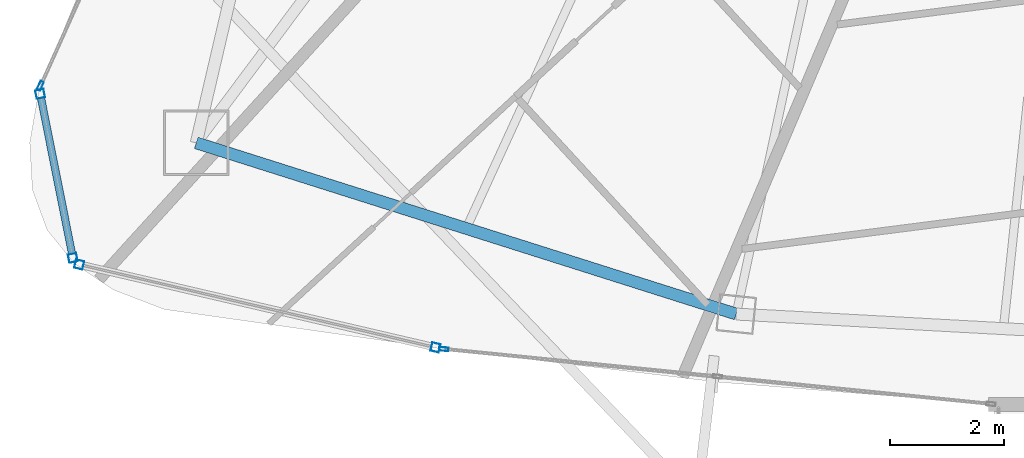
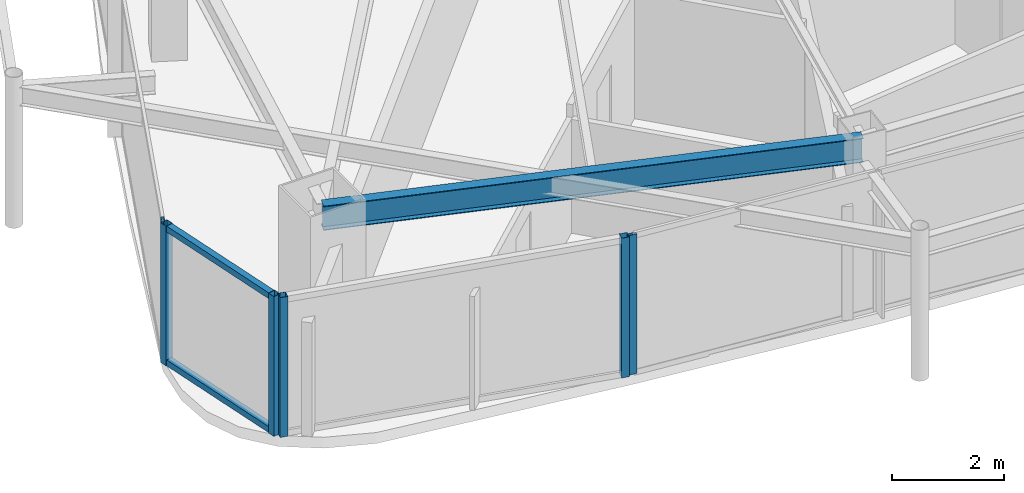
# One storey, part 2 of 30: 8 members, 1 beam, 4 elements without a shape of their own.
"""IFC4 building model written with IfcOpenShell, lengths in metres."""

from ifc_helpers import new_model, si_unit, direction, frame, origin, origin_2d, place, context, subcontext, project, spatial, hollow_rectangle, i_section, extrude, material, layer, layer_set, material_profile, profile_set, type_object, element, aggregate, save


model = new_model("IFC4")

# Units and contexts
model_context = context("Model", 3, precision=1e-05, world=origin(), true_north=direction((0.0, 1.0)))
body_context = subcontext(model_context, "Body", "Model", "MODEL_VIEW")
ifc_project = project(units=[si_unit("LENGTHUNIT", "METRE"), si_unit("AREAUNIT", "SQUARE_METRE"), si_unit("VOLUMEUNIT", "CUBIC_METRE"), si_unit("PLANEANGLEUNIT", "RADIAN"), si_unit("MASSUNIT", "GRAM", prefix="KILO")], contexts=[model_context])

# Site, building, storey
site_placement = place(None, origin())
site = spatial("IfcSite", under=ifc_project, at=site_placement, CompositionType="ELEMENT")
building_placement = place(site_placement, origin())
building = spatial("IfcBuilding", under=site, at=building_placement, Name="Orvanel Arch Residences", CompositionType="ELEMENT")
storey_placement = place(building_placement, frame((0.0, 0.0, 270.050048828125)))
storey = spatial("IfcBuildingStorey", under=building, at=storey_placement, Name="L77", CompositionType="ELEMENT", Elevation=270.050048828125)

# Curtain wall, members
ifc_material_1 = material(Name="Bronze-anodised aluminium AA6063-T6", Category="aluminium")
ifc_layer_1 = layer(ifc_material_1, 0.18994140625)
ifc_layer_set_1 = layer_set([ifc_layer_1], Name="Bronze-anodised aluminium AA6063-T6")
curtain_wall_type_1 = type_object("IfcCurtainWallType", Name="CW5-CRN-SYS", PredefinedType="NOTDEFINED", material=ifc_layer_set_1)
curtain_wall_1_placement = place(storey_placement, origin())
curtain_wall_1 = element("IfcCurtainWall", 1, at=curtain_wall_1_placement, inside=storey, type_object=curtain_wall_type_1, Name="L77 CW5-CRN-SYS Unitised Curtain Wall", PredefinedType="NOTDEFINED")
ifc_material_profile_1 = material_profile(ifc_material_1, hollow_rectangle(XDim=0.14990234375, YDim=0.14990234375, WallThickness=0.0048828125, at=origin_2d()), Name="ALU150x150x5")
ifc_profile_set_1 = profile_set([ifc_material_profile_1], Name="Bronze-anodised aluminium AA6063-T6")
member_type_1 = type_object("IfcMemberType", Name="MUL-150x150", PredefinedType="MULLION", material=ifc_profile_set_1)
member_1_placement = place(storey_placement, frame((11.46875, 11.20751953125, 0.0), z_axis=(0.0, 0.0, 1.0), x_axis=(0.980742821392, 0.195303656616, 0.0)))
member_1 = element("IfcMember", 2, at=member_1_placement, type_object=member_type_1, Name="CW-S5 mullion 1", PredefinedType="MULLION", context=body_context, shape_type="SweptSolid", body=[
    extrude(hollow_rectangle(XDim=0.14990234375, YDim=0.14990234375, WallThickness=0.0048828125, at=origin_2d()), origin(), (0.0, 0.0, 1.0), 3.06005859375),
])
member_2_placement = place(storey_placement, frame((12.040283203125, 8.336669921875, 0.0), z_axis=(0.0, 0.0, 1.0), x_axis=(0.980742821392, 0.195303656616, 0.0)))
member_2 = element("IfcMember", 3, at=member_2_placement, type_object=member_type_1, Name="CW-S5 mullion 2", PredefinedType="MULLION", context=body_context, shape_type="SweptSolid", body=[
    extrude(hollow_rectangle(XDim=0.14990234375, YDim=0.14990234375, WallThickness=0.0048828125, at=origin_2d()), origin(), (0.0, 0.0, 1.0), 3.06005859375),
])

curtain_wall_2_placement = place(storey_placement, origin())
curtain_wall_2 = element("IfcCurtainWall", 4, at=curtain_wall_2_placement, inside=storey, type_object=curtain_wall_type_1, Name="L77 CW5-CRN-SYS Unitised Curtain Wall", PredefinedType="NOTDEFINED")
member_3_placement = place(storey_placement, frame((12.151123046875, 8.220947265625, 0.0), z_axis=(0.0, 0.0, 1.0), x_axis=(0.226776107589, 0.973946916945, 0.0)))
member_3 = element("IfcMember", 5, at=member_3_placement, type_object=member_type_1, Name="CW-S5 mullion 1", PredefinedType="MULLION", context=body_context, shape_type="SweptSolid", body=[
    extrude(hollow_rectangle(XDim=0.14990234375, YDim=0.14990234375, WallThickness=0.0048828125, at=origin_2d()), origin(), (0.0, 0.0, 1.0), 3.06005859375),
])
member_4_placement = place(storey_placement, frame((18.386962890625, 6.76904296875, 0.0), z_axis=(0.0, 0.0, 1.0), x_axis=(0.226776107589, 0.973946916945, 0.0)))
member_4 = element("IfcMember", 6, at=member_4_placement, type_object=member_type_1, Name="CW-S5 mullion 2", PredefinedType="MULLION", context=body_context, shape_type="SweptSolid", body=[
    extrude(hollow_rectangle(XDim=0.14990234375, YDim=0.14990234375, WallThickness=0.0048828125, at=origin_2d()), origin(), (0.0, 0.0, 1.0), 3.06005859375),
])
aggregate(curtain_wall_2, [member_3, member_4])

# Curtain wall, member
ifc_layer_2 = layer(ifc_material_1, 0.175048828125)
ifc_layer_set_2 = layer_set([ifc_layer_2], Name="Bronze-anodised aluminium AA6063-T6")
curtain_wall_type_2 = type_object("IfcCurtainWallType", Name="CW4-HI-SYS", PredefinedType="NOTDEFINED", material=ifc_layer_set_2)
curtain_wall_3_placement = place(storey_placement, origin())
curtain_wall_3 = element("IfcCurtainWall", 7, at=curtain_wall_3_placement, inside=storey, type_object=curtain_wall_type_2, Name="L77 CW4-HI-SYS Unitised Curtain Wall", PredefinedType="NOTDEFINED")
ifc_material_profile_2 = material_profile(ifc_material_1, hollow_rectangle(XDim=0.06494140625, YDim=0.159912109375, WallThickness=0.00390625, at=origin_2d()), Name="ALU160x65x4")
ifc_profile_set_2 = profile_set([ifc_material_profile_2], Name="Bronze-anodised aluminium AA6063-T6")
member_type_2 = type_object("IfcMemberType", Name="MUL-160x65", PredefinedType="MULLION", material=ifc_profile_set_2)
member_5_placement = place(storey_placement, frame((11.471435546875, 11.3486328125, 0.0), z_axis=(0.0, 0.0, 1.0), x_axis=(0.912157920998, -0.409838903913, 0.0)))
member_5 = element("IfcMember", 8, at=member_5_placement, type_object=member_type_2, Name="CW-S4 mullion 3", PredefinedType="MULLION", context=body_context, shape_type="SweptSolid", body=[
    extrude(hollow_rectangle(XDim=0.06494140625, YDim=0.159912109375, WallThickness=0.00390625, at=origin_2d()), origin(), (0.0, 0.0, 1.0), 3.06005859375),
])
aggregate(curtain_wall_3, [member_5])

curtain_wall_4_placement = place(storey_placement, origin())
curtain_wall_4 = element("IfcCurtainWall", 9, at=curtain_wall_4_placement, inside=storey, type_object=curtain_wall_type_2, Name="L77 CW4-HI-SYS Unitised Curtain Wall", PredefinedType="NOTDEFINED")
member_6_placement = place(storey_placement, frame((18.53125, 6.74169921875, 0.0), z_axis=(0.0, 0.0, 1.0), x_axis=(0.100004397711, 0.99498699511, 0.0)))
member_6 = element("IfcMember", 10, at=member_6_placement, type_object=member_type_2, Name="CW-S4 mullion 1", PredefinedType="MULLION", context=body_context, shape_type="SweptSolid", body=[
    extrude(hollow_rectangle(XDim=0.06494140625, YDim=0.159912109375, WallThickness=0.00390625, at=origin_2d()), origin(), (0.0, 0.0, 1.0), 3.06005859375),
])
aggregate(curtain_wall_4, [member_6])

# Beam
ifc_material_2 = material(Name="Structural steel AS/NZS 3679.1 Grade 300 (300 MPa)", Category="steel")
ifc_material_profile_3 = material_profile(ifc_material_2, i_section(OverallWidth=0.208984375, OverallDepth=0.532958984375, WebThickness=0.01025390625, FlangeThickness=0.015625, at=origin_2d()), Name="530UB92.4")
ifc_profile_set_3 = profile_set([ifc_material_profile_3], Name="Structural steel AS/NZS 3679.1 Grade 300 (300 MPa)")
beam_type = type_object("IfcBeamType", Name="SP-530UB", PredefinedType="SPANDREL", material=ifc_profile_set_3)
beam_placement = place(storey_placement, frame((14.198974609375, 10.35107421875, 2.7939453125), z_axis=(0.953237386592, -0.302222574941, 0.0), x_axis=(0.302222574941, 0.953237386592, 0.0)))
element("IfcBeam", 11, at=beam_placement, inside=storey, type_object=beam_type, Name="L77 Perimeter Spandrel Beam 02", PredefinedType="SPANDREL", context=body_context, shape_type="SweptSolid", body=[
    extrude(i_section(OverallWidth=0.208984375, OverallDepth=0.532958984375, WebThickness=0.01025390625, FlangeThickness=0.015625, at=origin_2d()), origin(), (0.0, 0.0, 1.0), 9.91357421875),
])

# Member
ifc_material_profile_4 = material_profile(ifc_material_1, hollow_rectangle(XDim=0.1298828125, YDim=0.1298828125, WallThickness=0.00439453125, at=origin_2d()), Name="ALU130x130x4.5")
ifc_profile_set_4 = profile_set([ifc_material_profile_4], Name="Bronze-anodised aluminium AA6063-T6")
member_type_3 = type_object("IfcMemberType", Name="TRN-130x130", PredefinedType="USERDEFINED", material=ifc_profile_set_4)
member_7_placement = place(storey_placement, frame((11.4833984375, 11.1337890625, 0.06494140625), z_axis=(0.195253839791, -0.980752740525, 0.0), x_axis=(0.980752740525, 0.195253839791, 0.0)))
member_7 = element("IfcMember", 12, at=member_7_placement, type_object=member_type_3, Name="CW-S5 transom 1.1", ObjectType="TRANSOM", PredefinedType="USERDEFINED", context=body_context, shape_type="SweptSolid", body=[
    extrude(hollow_rectangle(XDim=0.1298828125, YDim=0.1298828125, WallThickness=0.00439453125, at=origin_2d()), origin(), (0.0, 0.0, 1.0), 2.777099609375),
])

member_8_placement = place(storey_placement, frame((11.4833984375, 11.1337890625, 2.994873046875), z_axis=(0.195253839791, -0.980752740525, 0.0), x_axis=(0.980752740525, 0.195253839791, 0.0)))
member_8 = element("IfcMember", 13, at=member_8_placement, type_object=member_type_3, Name="CW-S5 transom 1.2", ObjectType="TRANSOM", PredefinedType="USERDEFINED", context=body_context, shape_type="SweptSolid", body=[
    extrude(hollow_rectangle(XDim=0.1298828125, YDim=0.1298828125, WallThickness=0.00439453125, at=origin_2d()), origin(), (0.0, 0.0, 1.0), 2.777099609375),
])

aggregate(curtain_wall_1, [member_1, member_2, member_7, member_8])

save(model, "model.ifc")
